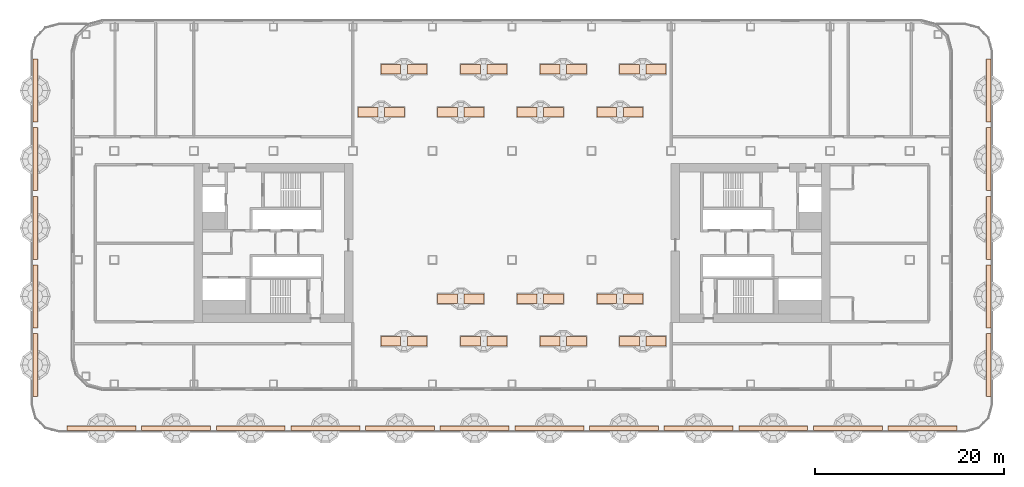
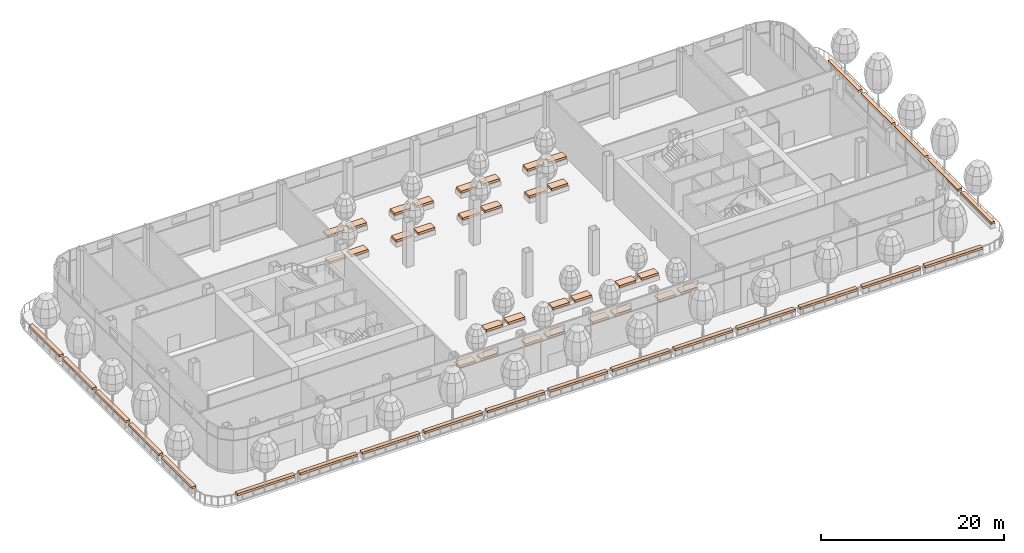
# One storey, part 37 of 44: 52 geographic elements.
"""IFC4 building model written with IfcOpenShell, lengths in metres."""

import ifcopenshell
import ifcopenshell.guid

model = None  # the IFC model being written
_history = None  # IfcOwnerHistory: only IFC2X3 demands one
_inside = {}  # id of a spatial element -> (the spatial element, [elements in it])
_under = {}  # id of a project, library or spatial element -> (it, [spatial elements below it])
_declared = {}  # id of a project -> (the project, [libraries it declares])
_typed = {}  # id of a type object -> (the type object, [elements of that type])
_made_of = {}  # id of a material, layer set ... -> (it, [elements and type objects made of it])


def new_model(schema):
    """Start an empty IFC model of exactly this schema.

    Asked for "IFC4X3", IfcOpenShell would pick the latest addendum, in which some entities
    have other attributes; the version numbers below select the first issue.
    IFC2X3 requires an IfcOwnerHistory on every rooted entity: one is made here for all.
    """
    global model, _history
    if schema == "IFC4X3":
        model = ifcopenshell.file(schema_version=(4, 3, 0, 0))
    else:
        model = ifcopenshell.file(schema=schema)
    _inside.clear()
    _under.clear()
    _declared.clear()
    _typed.clear()
    _made_of.clear()
    _history = None
    if model.schema == "IFC2X3":
        org = make("IfcOrganization", Name="unknown")
        user = make(
            "IfcPersonAndOrganization",
            ThePerson=make("IfcPerson", FamilyName="unknown"),
            TheOrganization=org,
        )
        app = make(
            "IfcApplication",
            ApplicationDeveloper=org,
            Version="unknown",
            ApplicationFullName="unknown",
            ApplicationIdentifier="unknown",
        )
        _history = make(
            "IfcOwnerHistory",
            OwningUser=user,
            OwningApplication=app,
            ChangeAction="ADDED",
            CreationDate=0,
        )
    return model


def make(cls, **values):
    """One entity of the class cls with the attributes given. An attribute that is None is left unset."""
    return model.create_entity(
        cls, **{name: value for name, value in values.items() if value is not None}
    )


def rooted(cls, **values):
    """An entity with a GlobalId (a new one), such as an element, a storey or a relation."""
    return make(cls, GlobalId=ifcopenshell.guid.new(), OwnerHistory=_history, **values)


def si_unit(unit_type, name, prefix=None):
    """IfcSIUnit, for example si_unit("LENGTHUNIT", "METRE", prefix="MILLI")."""
    return make("IfcSIUnit", UnitType=unit_type, Prefix=prefix, Name=name)


def assignment(units):
    """IfcUnitAssignment: the units of a project."""
    return None if units is None else make("IfcUnitAssignment", Units=units)


def point(xyz):
    """IfcCartesianPoint."""
    return None if xyz is None else make("IfcCartesianPoint", Coordinates=xyz)


def direction(xyz):
    """IfcDirection."""
    return None if xyz is None else make("IfcDirection", DirectionRatios=xyz)


def frame(location, z_axis=None, x_axis=None):
    """IfcAxis2Placement3D, a coordinate frame: its origin and axes. An axis left out is left unset."""
    return make(
        "IfcAxis2Placement3D",
        Location=point(location),
        Axis=direction(z_axis),
        RefDirection=direction(x_axis),
    )


def frame_2d(location, x_axis=None):
    """IfcAxis2Placement2D, a coordinate frame in the plane: its origin and x axis."""
    return make(
        "IfcAxis2Placement2D", Location=point(location), RefDirection=direction(x_axis)
    )


def origin():
    """The frame at (0, 0, 0) with its axes left unset."""
    return frame((0.0, 0.0, 0.0))


def origin_2d():
    """The frame at (0, 0) in the plane with its x axis left unset."""
    return frame_2d((0.0, 0.0))


def place(relative_to, where):
    """IfcLocalPlacement: puts the frame where relative to a parent placement (None: the world)."""
    return make(
        "IfcLocalPlacement", PlacementRelTo=relative_to, RelativePlacement=where
    )


def context(
    kind, dimensions, precision=None, world=None, true_north=None, identifier=None
):
    """IfcGeometricRepresentationContext, for example the 3D "Model" context."""
    return make(
        "IfcGeometricRepresentationContext",
        ContextIdentifier=identifier,
        ContextType=kind,
        CoordinateSpaceDimension=dimensions,
        Precision=precision,
        WorldCoordinateSystem=world,
        TrueNorth=true_north,
    )


def subcontext(parent, identifier, kind, view, scale=None):
    """IfcGeometricRepresentationSubContext, for example "Body" below "Model"."""
    return make(
        "IfcGeometricRepresentationSubContext",
        ContextIdentifier=identifier,
        ContextType=kind,
        ParentContext=parent,
        TargetScale=scale,
        TargetView=view,
    )


def project(units=None, contexts=None):
    """IfcProject with its units and contexts."""
    return rooted(
        "IfcProject",
        Name="project",
        RepresentationContexts=contexts,
        UnitsInContext=assignment(units),
    )


def spatial(cls, under=None, at=None, **own):
    """A site, building, storey or space (cls), placed at a placement, below another one or the project."""
    s = rooted(cls, ObjectPlacement=at, **own)
    if under is not None:
        _under.setdefault(under.id(), (under, []))[1].append(s)
    return s


def profile(cls, at=None, kind="AREA", **sizes):
    """A parametric profile (cls). Its sizes go by their IFC names, for example OverallWidth=200.0."""
    return make(cls, ProfileType=kind, Position=at, **sizes)


def rectangle(**sizes):
    """IfcRectangleProfileDef."""
    return profile("IfcRectangleProfileDef", **sizes)


def extrude(swept, where, along, depth):
    """IfcExtrudedAreaSolid: the profile swept, set in the frame where, extruded along a direction by depth."""
    return make(
        "IfcExtrudedAreaSolid",
        SweptArea=swept,
        Position=where,
        ExtrudedDirection=direction(along),
        Depth=depth,
    )


def shape(context_of_items, identifier, shape_type, items):
    """IfcShapeRepresentation: the items that make up one representation, for example the "Body"."""
    return make(
        "IfcShapeRepresentation",
        ContextOfItems=context_of_items,
        RepresentationIdentifier=identifier,
        RepresentationType=shape_type,
        Items=items,
    )


def material(Name=None, Category=None):
    """IfcMaterial."""
    return make("IfcMaterial", Name=Name, Category=Category)


def made_of(thing, what):
    """Note that an element or type object is made of a material, layer set ...; save() writes the relation."""
    if what is not None:
        _made_of.setdefault(what.id(), (what, []))[1].append(thing)
    return thing


def type_object(cls, material=None, **own):
    """A type object (cls), such as IfcWallType, which elements share."""
    return made_of(rooted(cls, **own), material)


def element(
    cls,
    number,
    at=None,
    inside=None,
    cuts=None,
    type_object=None,
    material=None,
    context=None,
    identifier="Body",
    shape_type=None,
    held_by="IfcProductDefinitionShape",
    body=None,
    shapes=None,
    **own,
):
    """One element of the class cls, such as IfcWall. Its Tag is "e" and its number.

    at: its placement. inside: the storey or other place that contains it. cuts: it is an
    opening in that element (IfcRelVoidsElement). A single representation is given by context,
    identifier, shape_type and body (its items); several are given by shapes. held_by: the class
    of the entity that holds the representations. save() writes the other relations.
    """
    e = rooted(cls, Tag="e%d" % number, ObjectPlacement=at, **own)
    if body is not None:
        shapes = [shape(context, identifier, shape_type, body)]
    if shapes is not None:
        e.Representation = make(held_by, Representations=shapes)
    if inside is not None:
        _inside.setdefault(inside.id(), (inside, []))[1].append(e)
    if cuts is not None:
        rooted(
            "IfcRelVoidsElement", RelatingBuildingElement=cuts, RelatedOpeningElement=e
        )
    if type_object is not None:
        _typed.setdefault(type_object.id(), (type_object, []))[1].append(e)
    return made_of(e, material)


def aggregate(whole, parts):
    """IfcRelAggregates: a whole, such as a stair, and the parts it consists of."""
    return rooted("IfcRelAggregates", RelatingObject=whole, RelatedObjects=parts)


def save(model, path):
    """Write the relations noted so far, then the file.

    IfcRelAggregates (storeys below a building ...), IfcRelContainedInSpatialStructure (elements
    in a storey), IfcRelDefinesByType, IfcRelAssociatesMaterial and IfcRelDeclares: one each for
    every whole, place, type object, material and project.
    """
    for whole, parts in _under.values():
        aggregate(whole, parts)
    for where, things in _inside.values():
        rooted(
            "IfcRelContainedInSpatialStructure",
            RelatedElements=things,
            RelatingStructure=where,
        )
    for kind, things in _typed.values():
        rooted("IfcRelDefinesByType", RelatedObjects=things, RelatingType=kind)
    for what, things in _made_of.values():
        rooted("IfcRelAssociatesMaterial", RelatedObjects=things, RelatingMaterial=what)
    for by, libraries in _declared.values():
        rooted("IfcRelDeclares", RelatingContext=by, RelatedDefinitions=libraries)
    model.write(path)


model = new_model("IFC4")

# Units and contexts
model_context = context("Model", 3, precision=1e-05, world=origin(), true_north=direction((0.0, 1.0)))
body_context = subcontext(model_context, "Body", "Model", "MODEL_VIEW")
ifc_project = project(units=[si_unit("LENGTHUNIT", "METRE"), si_unit("AREAUNIT", "SQUARE_METRE"), si_unit("VOLUMEUNIT", "CUBIC_METRE"), si_unit("PLANEANGLEUNIT", "RADIAN"), si_unit("MASSUNIT", "GRAM", prefix="KILO")], contexts=[model_context])

# Site, building, storey
site_placement = place(None, origin())
site = spatial("IfcSite", under=ifc_project, at=site_placement, CompositionType="ELEMENT")
building_placement = place(site_placement, origin())
building = spatial("IfcBuilding", under=site, at=building_placement, Name="Hakoniwa Tower and Hamabe Station Hall", CompositionType="ELEMENT")
storey_placement = place(building_placement, frame((0.0, 0.0, 69.0)))
storey = spatial("IfcBuildingStorey", under=building, at=storey_placement, Name="L19", CompositionType="ELEMENT", Elevation=69.0)

# Geographic elements
ifc_material_1 = material(Name="Shrub planting")
geographic_element_type_1 = type_object("IfcGeographicElementType", Name="Shrub planting bed 1000x300", PredefinedType="USERDEFINED", material=ifc_material_1)
for number, where, z_axis, x_axis, name in (
    (1, (-15.199951171875, 13.85009765625, 0.60009765625), (0.0, 0.0, 1.0), (1.0, 0.0, 0.0), "Shrub planting bed 1000x300"),
    (2, (-12.39990234375, 13.85009765625, 0.60009765625), (0.0, 0.0, 1.0), (1.0, 0.0, 0.0), "Shrub planting bed 1000x300"),
    (3, (-6.800048828125, 13.85009765625, 0.60009765625), (0.0, 0.0, 1.0), (1.0, 0.0, 0.0), "Shrub planting bed 1000x300"),
    (4, (-4.0, 13.85009765625, 0.60009765625), (0.0, 0.0, 1.0), (1.0, 0.0, 0.0), "Shrub planting bed 1000x300"),
    (5, (1.60009765625, 13.85009765625, 0.60009765625), (0.0, 0.0, 1.0), (1.0, 0.0, 0.0), "Shrub planting bed 1000x300"),
    (6, (4.39990234375, 13.85009765625, 0.60009765625), (0.0, 0.0, 1.0), (1.0, 0.0, 0.0), "Shrub planting bed 1000x300"),
    (7, (10.0, 13.85009765625, 0.60009765625), (0.0, 0.0, 1.0), (1.0, 0.0, 0.0), "Shrub planting bed 1000x300"),
    (8, (12.800048828125, 13.85009765625, 0.60009765625), (0.0, 0.0, 1.0), (1.0, 0.0, 0.0), "Shrub planting bed 1000x300"),
    (9, (-12.800048828125, 18.35009765625, 0.60009765625), (0.0, 0.0, 1.0), (1.0, 0.0, 0.0), "Shrub planting bed 1000x300"),
    (10, (-10.0, 18.35009765625, 0.60009765625), (0.0, 0.0, 1.0), (1.0, 0.0, 0.0), "Shrub planting bed 1000x300"),
    (11, (-4.39990234375, 18.35009765625, 0.60009765625), (0.0, 0.0, 1.0), (1.0, 0.0, 0.0), "Shrub planting bed 1000x300"),
    (12, (-1.60009765625, 18.35009765625, 0.60009765625), (0.0, 0.0, 1.0), (1.0, 0.0, 0.0), "Shrub planting bed 1000x300"),
    (13, (4.0, 18.35009765625, 0.60009765625), (0.0, 0.0, 1.0), (1.0, 0.0, 0.0), "Shrub planting bed 1000x300"),
    (14, (6.800048828125, 18.35009765625, 0.60009765625), (0.0, 0.0, 1.0), (1.0, 0.0, 0.0), "Shrub planting bed 1000x300"),
    (15, (12.39990234375, 18.35009765625, 0.60009765625), (0.0, 0.0, 1.0), (1.0, 0.0, 0.0), "Shrub planting bed 1000x300"),
    (16, (15.199951171875, 18.35009765625, 0.60009765625), (0.0, 0.0, 1.0), (1.0, 0.0, 0.0), "Shrub planting bed 1000x300"),
    (17, (-6.800048828125, -5.85009765625, 0.60009765625), (0.0, 0.0, 1.0), (1.0, 0.0, 0.0), "Shrub planting bed 1000x300"),
    (18, (-4.0, -5.85009765625, 0.60009765625), (0.0, 0.0, 1.0), (1.0, 0.0, 0.0), "Shrub planting bed 1000x300"),
    (19, (1.60009765625, -5.85009765625, 0.60009765625), (0.0, 0.0, 1.0), (1.0, 0.0, 0.0), "Shrub planting bed 1000x300"),
    (20, (4.39990234375, -5.85009765625, 0.60009765625), (0.0, 0.0, 1.0), (1.0, 0.0, 0.0), "Shrub planting bed 1000x300"),
    (21, (10.0, -5.85009765625, 0.60009765625), (0.0, 0.0, 1.0), (1.0, 0.0, 0.0), "Shrub planting bed 1000x300"),
    (22, (12.800048828125, -5.85009765625, 0.60009765625), (0.0, 0.0, 1.0), (1.0, 0.0, 0.0), "Shrub planting bed 1000x300"),
    (23, (-12.800048828125, -10.35009765625, 0.60009765625), (0.0, 0.0, 1.0), (1.0, 0.0, 0.0), "Shrub planting bed 1000x300"),
    (24, (-10.0, -10.35009765625, 0.60009765625), (0.0, 0.0, 1.0), (1.0, 0.0, 0.0), "Shrub planting bed 1000x300"),
    (25, (-4.39990234375, -10.35009765625, 0.60009765625), (0.0, 0.0, 1.0), (1.0, 0.0, 0.0), "Shrub planting bed 1000x300"),
    (26, (-1.60009765625, -10.35009765625, 0.60009765625), (0.0, 0.0, 1.0), (1.0, 0.0, 0.0), "Shrub planting bed 1000x300"),
    (27, (4.0, -10.35009765625, 0.60009765625), (0.0, 0.0, 1.0), (1.0, 0.0, 0.0), "Shrub planting bed 1000x300"),
    (28, (6.800048828125, -10.35009765625, 0.60009765625), (0.0, 0.0, 1.0), (1.0, 0.0, 0.0), "Shrub planting bed 1000x300"),
    (29, (12.39990234375, -10.35009765625, 0.60009765625), (0.0, 0.0, 1.0), (1.0, 0.0, 0.0), "Shrub planting bed 1000x300"),
    (30, (15.199951171875, -10.35009765625, 0.60009765625), (0.0, 0.0, 1.0), (1.0, 0.0, 0.0), "Shrub planting bed 1000x300"),
):
    element("IfcGeographicElement", number, at=place(storey_placement, frame(where, z_axis=z_axis, x_axis=x_axis)), inside=storey, type_object=geographic_element_type_1, Name=name, ObjectType="PLANTING", PredefinedType="USERDEFINED", context=body_context, shape_type="SweptSolid", body=[
        extrude(rectangle(XDim=2.10009765625, YDim=1.0, at=origin_2d()), origin(), (0.0, 0.0, 1.0), 0.300048828125),
    ])
ifc_material_2 = material(Name="Shrub planting")
geographic_element_type_2 = type_object("IfcGeographicElementType", Name="Shrub planting bed 500x300", PredefinedType="USERDEFINED", material=ifc_material_2)
for number, where, z_axis, x_axis, name in (
    (31, (-50.35107421875, 16.114501953125, 0.60009765625), (0.0, 0.0, 1.0), (-4.07849e-07, -1.0, 0.0), "Shrub planting bed 500x300"),
    (32, (-50.35107421875, 8.869873046875, 0.60009765625), (0.0, 0.0, 1.0), (-4.07849e-07, -1.0, 0.0), "Shrub planting bed 500x300"),
    (33, (-50.35107421875, 1.625, 0.60009765625), (0.0, 0.0, 1.0), (-4.07849e-07, -1.0, 0.0), "Shrub planting bed 500x300"),
    (34, (-50.35107421875, -5.61962890625, 0.60009765625), (0.0, 0.0, 1.0), (-4.07849e-07, -1.0, 0.0), "Shrub planting bed 500x300"),
    (35, (-50.35107421875, -12.864501953125, 0.60009765625), (0.0, 0.0, 1.0), (-4.07849e-07, -1.0, 0.0), "Shrub planting bed 500x300"),
):
    element("IfcGeographicElement", number, at=place(storey_placement, frame(where, z_axis=z_axis, x_axis=x_axis)), inside=storey, type_object=geographic_element_type_2, Name=name, ObjectType="PLANTING", PredefinedType="USERDEFINED", context=body_context, shape_type="SweptSolid", body=[
        extrude(rectangle(XDim=6.644775390625, YDim=0.5, at=origin_2d()), origin(), (0.0, 0.0, 1.0), 0.300048828125),
    ])
for number, where, z_axis, x_axis, name in (
    (36, (-43.34619140625, -19.551025390625, 0.60009765625), (0.0, 0.0, 1.0), (1.0, 0.0, 0.0), "Shrub planting bed 500x300"),
    (37, (-35.465087890625, -19.551025390625, 0.60009765625), (0.0, 0.0, 1.0), (1.0, 0.0, 0.0), "Shrub planting bed 500x300"),
    (38, (-27.583984375, -19.551025390625, 0.60009765625), (0.0, 0.0, 1.0), (1.0, 0.0, 0.0), "Shrub planting bed 500x300"),
    (39, (-19.702880859375, -19.551025390625, 0.60009765625), (0.0, 0.0, 1.0), (1.0, 0.0, 0.0), "Shrub planting bed 500x300"),
    (40, (-11.82177734375, -19.551025390625, 0.60009765625), (0.0, 0.0, 1.0), (1.0, 0.0, 0.0), "Shrub planting bed 500x300"),
    (41, (-3.940673828125, -19.551025390625, 0.60009765625), (0.0, 0.0, 1.0), (1.0, 0.0, 0.0), "Shrub planting bed 500x300"),
    (42, (3.940673828125, -19.551025390625, 0.60009765625), (0.0, 0.0, 1.0), (1.0, 0.0, 0.0), "Shrub planting bed 500x300"),
    (43, (11.82177734375, -19.551025390625, 0.60009765625), (0.0, 0.0, 1.0), (1.0, 0.0, 0.0), "Shrub planting bed 500x300"),
    (44, (19.702880859375, -19.551025390625, 0.60009765625), (0.0, 0.0, 1.0), (1.0, 0.0, 0.0), "Shrub planting bed 500x300"),
    (45, (27.583984375, -19.551025390625, 0.60009765625), (0.0, 0.0, 1.0), (1.0, 0.0, 0.0), "Shrub planting bed 500x300"),
    (46, (35.465087890625, -19.551025390625, 0.60009765625), (0.0, 0.0, 1.0), (1.0, 0.0, 0.0), "Shrub planting bed 500x300"),
    (47, (43.34619140625, -19.551025390625, 0.60009765625), (0.0, 0.0, 1.0), (1.0, 0.0, 0.0), "Shrub planting bed 500x300"),
):
    element("IfcGeographicElement", number, at=place(storey_placement, frame(where, z_axis=z_axis, x_axis=x_axis)), inside=storey, type_object=geographic_element_type_2, Name=name, ObjectType="PLANTING", PredefinedType="USERDEFINED", context=body_context, shape_type="SweptSolid", body=[
        extrude(rectangle(XDim=7.28125, YDim=0.5, at=origin_2d()), origin(), (0.0, 0.0, 1.0), 0.300048828125),
    ])
for number, where, z_axis, x_axis, name in (
    (48, (50.35107421875, -12.864501953125, 0.60009765625), (0.0, 0.0, 1.0), (0.0, 1.0, 0.0), "Shrub planting bed 500x300"),
    (49, (50.35107421875, -5.61962890625, 0.60009765625), (0.0, 0.0, 1.0), (0.0, 1.0, 0.0), "Shrub planting bed 500x300"),
    (50, (50.35107421875, 1.625, 0.60009765625), (0.0, 0.0, 1.0), (0.0, 1.0, 0.0), "Shrub planting bed 500x300"),
    (51, (50.35107421875, 8.86962890625, 0.60009765625), (0.0, 0.0, 1.0), (0.0, 1.0, 0.0), "Shrub planting bed 500x300"),
    (52, (50.35107421875, 16.114501953125, 0.60009765625), (0.0, 0.0, 1.0), (0.0, 1.0, 0.0), "Shrub planting bed 500x300"),
):
    element("IfcGeographicElement", number, at=place(storey_placement, frame(where, z_axis=z_axis, x_axis=x_axis)), inside=storey, type_object=geographic_element_type_2, Name=name, ObjectType="PLANTING", PredefinedType="USERDEFINED", context=body_context, shape_type="SweptSolid", body=[
        extrude(rectangle(XDim=6.644775390625, YDim=0.5, at=origin_2d()), origin(), (0.0, 0.0, 1.0), 0.300048828125),
    ])

save(model, "model.ifc")
